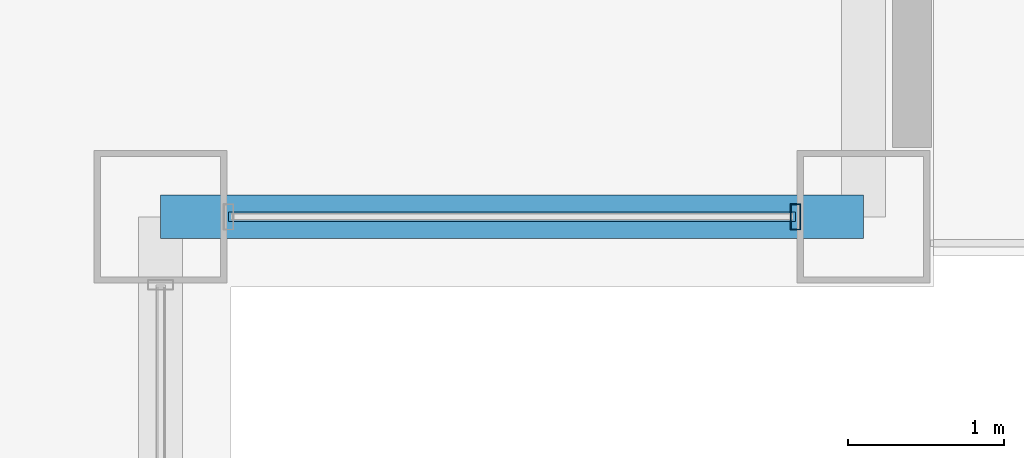
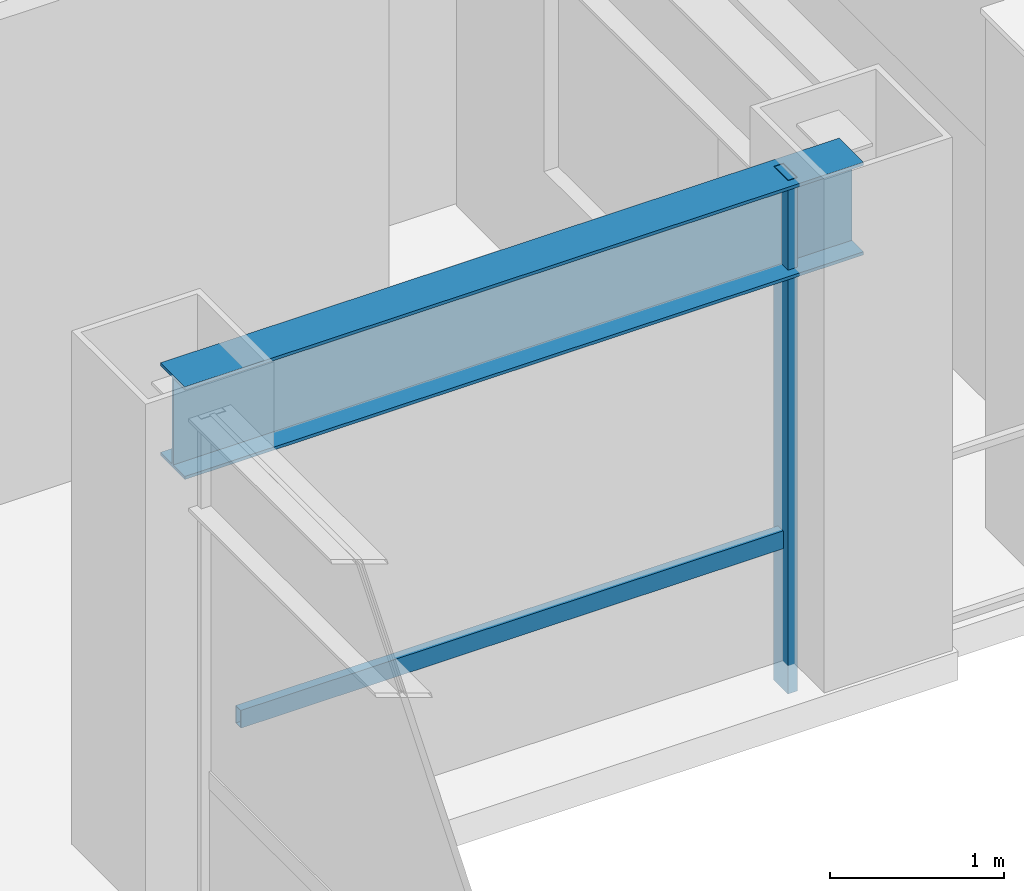
# One storey, part 12 of 30: 2 members, 1 beam, 1 element without a shape of its own.
"""IFC4 building model written with IfcOpenShell, lengths in metres."""

from ifc_helpers import new_model, si_unit, direction, frame, origin, origin_2d, place, context, subcontext, project, spatial, hollow_rectangle, i_section, extrude, material, layer, layer_set, material_profile, profile_set, type_object, element, aggregate, save


model = new_model("IFC4")

# Units and contexts
model_context = context("Model", 3, precision=1e-05, world=origin(), true_north=direction((0.0, 1.0)))
body_context = subcontext(model_context, "Body", "Model", "MODEL_VIEW")
ifc_project = project(units=[si_unit("LENGTHUNIT", "METRE"), si_unit("AREAUNIT", "SQUARE_METRE"), si_unit("VOLUMEUNIT", "CUBIC_METRE"), si_unit("PLANEANGLEUNIT", "RADIAN"), si_unit("MASSUNIT", "GRAM", prefix="KILO")], contexts=[model_context])

# Site, building, storey
site_placement = place(None, origin())
site = spatial("IfcSite", under=ifc_project, at=site_placement, CompositionType="ELEMENT")
building_placement = place(site_placement, origin())
building = spatial("IfcBuilding", under=site, at=building_placement, Name="Brelmoor Portico Tower", CompositionType="ELEMENT")
storey_placement = place(building_placement, frame((0.0, 0.0, 102.60009765625)))
storey = spatial("IfcBuildingStorey", under=building, at=storey_placement, Name="L26", CompositionType="ELEMENT", Elevation=102.60009765625)

# Beam
ifc_material_1 = material(Name="Steel Q355B", Category="steel")
ifc_material_profile_1 = material_profile(ifc_material_1, i_section(OverallWidth=0.280029296875, OverallDepth=0.64990234375, WebThickness=0.012939453125, FlangeThickness=0.02197265625, at=origin_2d()), Name="HN 650x280x13x22")
ifc_profile_set_1 = profile_set([ifc_material_profile_1], Name="Steel Q355B")
beam_type = type_object("IfcBeamType", Name="BM-SP-650", PredefinedType="SPANDREL", material=ifc_profile_set_1)
beam_placement = place(storey_placement, frame((18.050048828125, -15.050048828125, 3.074951171875), z_axis=(1.0, 0.0, 0.0), x_axis=(0.0, 1.0, 0.0)))
element("IfcBeam", 1, at=beam_placement, inside=storey, type_object=beam_type, Name="L26 Perimeter Spandrel Beam SP-07", PredefinedType="SPANDREL", context=body_context, shape_type="SweptSolid", body=[
    extrude(i_section(OverallWidth=0.280029296875, OverallDepth=0.64990234375, WebThickness=0.012939453125, FlangeThickness=0.02197265625, at=origin_2d()), origin(), (0.0, 0.0, 1.0), 4.5),
])

# Curtain wall, members
ifc_material_2 = material(Name="Anodised Aluminium Alloy 6063-T6", Category="aluminium")
ifc_layer = layer(ifc_material_2, 0.179931640625)
ifc_layer_set = layer_set([ifc_layer], Name="Anodised Aluminium Alloy 6063-T6")
curtain_wall_type = type_object("IfcCurtainWallType", Name="CW-NOTCH-CHAMFER", PredefinedType="NOTDEFINED", material=ifc_layer_set)
curtain_wall_placement = place(storey_placement, origin())
curtain_wall = element("IfcCurtainWall", 2, at=curtain_wall_placement, inside=storey, type_object=curtain_wall_type, Name="L26 Curtain Wall CWN-L26-SEH", PredefinedType="NOTDEFINED")
ifc_material_profile_2 = material_profile(ifc_material_2, hollow_rectangle(XDim=0.06494140625, YDim=0.1650390625, WallThickness=0.00390625, at=origin_2d()), Name="ALU MULLION 65x165")
ifc_profile_set_2 = profile_set([ifc_material_profile_2], Name="Anodised Aluminium Alloy 6063-T6")
member_type_1 = type_object("IfcMemberType", Name="MB-CW-MULL-165", PredefinedType="MULLION", material=ifc_profile_set_2)
member_1_placement = place(storey_placement, frame((22.114990234375, -15.050048828125, -0.2001953125), z_axis=(0.0, 0.0, 1.0), x_axis=(1.0, 0.0, 0.0)))
member_1 = element("IfcMember", 3, at=member_1_placement, type_object=member_type_1, Name="CWN-L26-SEH Mullion 01", PredefinedType="MULLION", context=body_context, shape_type="SweptSolid", body=[
    extrude(hollow_rectangle(XDim=0.06494140625, YDim=0.1650390625, WallThickness=0.00390625, at=origin_2d()), origin(), (0.0, 0.0, 1.0), 3.60009765625),
])
ifc_material_profile_3 = material_profile(ifc_material_2, hollow_rectangle(XDim=0.06005859375, YDim=0.125, WallThickness=0.00341796875, at=origin_2d()), Name="ALU TRANSOM 60x125")
ifc_profile_set_3 = profile_set([ifc_material_profile_3], Name="Anodised Aluminium Alloy 6063-T6")
member_type_2 = type_object("IfcMemberType", Name="MB-CW-TRAN-125", PredefinedType="USERDEFINED", material=ifc_profile_set_3)
member_2_placement = place(storey_placement, frame((18.485107421875, -15.050048828125, 0.849853515625), z_axis=(1.0, 0.0, 0.0), x_axis=(0.0, 1.0, 0.0)))
member_2 = element("IfcMember", 4, at=member_2_placement, type_object=member_type_2, Name="CWN-L26-SEH Transom 1-00", ObjectType="TRANSOM", PredefinedType="USERDEFINED", context=body_context, shape_type="SweptSolid", body=[
    extrude(hollow_rectangle(XDim=0.06005859375, YDim=0.125, WallThickness=0.00341796875, at=origin_2d()), origin(), (0.0, 0.0, 1.0), 3.6298828125),
])
aggregate(curtain_wall, [member_1, member_2])

save(model, "model.ifc")
